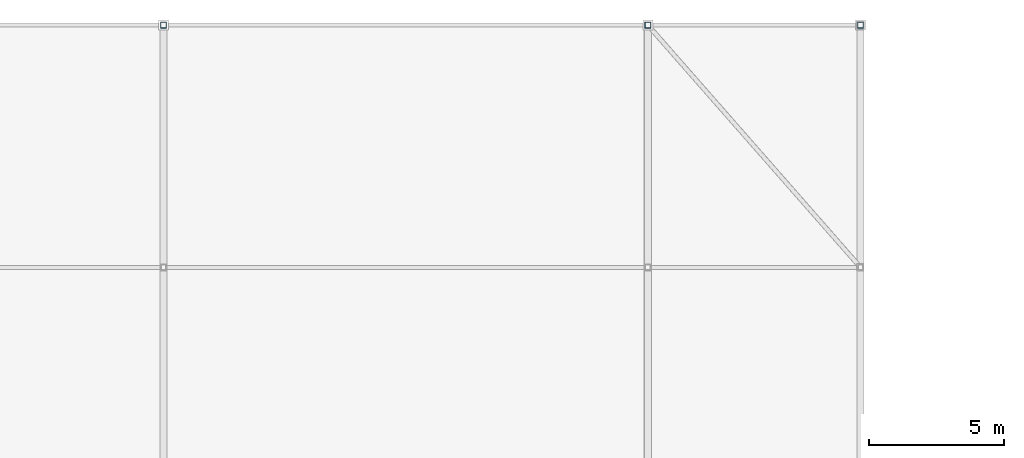
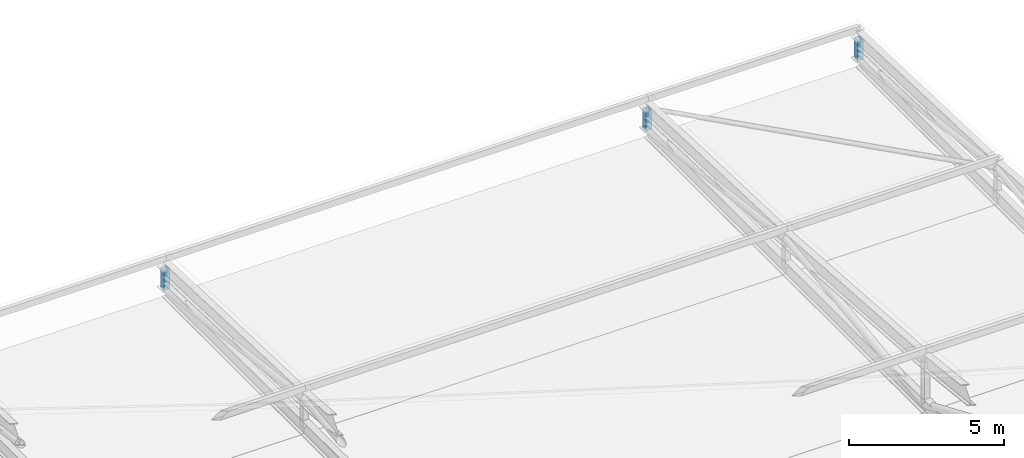
# One storey, part 85 of 114: 3 members.
"""IFC4 building model written with IfcOpenShell, lengths in metres."""

import ifcopenshell
import ifcopenshell.guid

model = None  # the IFC model being written
_history = None  # IfcOwnerHistory: only IFC2X3 demands one
_inside = {}  # id of a spatial element -> (the spatial element, [elements in it])
_under = {}  # id of a project, library or spatial element -> (it, [spatial elements below it])
_declared = {}  # id of a project -> (the project, [libraries it declares])
_typed = {}  # id of a type object -> (the type object, [elements of that type])
_made_of = {}  # id of a material, layer set ... -> (it, [elements and type objects made of it])


def new_model(schema):
    """Start an empty IFC model of exactly this schema.

    Asked for "IFC4X3", IfcOpenShell would pick the latest addendum, in which some entities
    have other attributes; the version numbers below select the first issue.
    IFC2X3 requires an IfcOwnerHistory on every rooted entity: one is made here for all.
    """
    global model, _history
    if schema == "IFC4X3":
        model = ifcopenshell.file(schema_version=(4, 3, 0, 0))
    else:
        model = ifcopenshell.file(schema=schema)
    _inside.clear()
    _under.clear()
    _declared.clear()
    _typed.clear()
    _made_of.clear()
    _history = None
    if model.schema == "IFC2X3":
        org = make("IfcOrganization", Name="unknown")
        user = make(
            "IfcPersonAndOrganization",
            ThePerson=make("IfcPerson", FamilyName="unknown"),
            TheOrganization=org,
        )
        app = make(
            "IfcApplication",
            ApplicationDeveloper=org,
            Version="unknown",
            ApplicationFullName="unknown",
            ApplicationIdentifier="unknown",
        )
        _history = make(
            "IfcOwnerHistory",
            OwningUser=user,
            OwningApplication=app,
            ChangeAction="ADDED",
            CreationDate=0,
        )
    return model


def make(cls, **values):
    """One entity of the class cls with the attributes given. An attribute that is None is left unset."""
    return model.create_entity(
        cls, **{name: value for name, value in values.items() if value is not None}
    )


def rooted(cls, **values):
    """An entity with a GlobalId (a new one), such as an element, a storey or a relation."""
    return make(cls, GlobalId=ifcopenshell.guid.new(), OwnerHistory=_history, **values)


def si_unit(unit_type, name, prefix=None):
    """IfcSIUnit, for example si_unit("LENGTHUNIT", "METRE", prefix="MILLI")."""
    return make("IfcSIUnit", UnitType=unit_type, Prefix=prefix, Name=name)


def assignment(units):
    """IfcUnitAssignment: the units of a project."""
    return None if units is None else make("IfcUnitAssignment", Units=units)


def point(xyz):
    """IfcCartesianPoint."""
    return None if xyz is None else make("IfcCartesianPoint", Coordinates=xyz)


def direction(xyz):
    """IfcDirection."""
    return None if xyz is None else make("IfcDirection", DirectionRatios=xyz)


def frame(location, z_axis=None, x_axis=None):
    """IfcAxis2Placement3D, a coordinate frame: its origin and axes. An axis left out is left unset."""
    return make(
        "IfcAxis2Placement3D",
        Location=point(location),
        Axis=direction(z_axis),
        RefDirection=direction(x_axis),
    )


def frame_2d(location, x_axis=None):
    """IfcAxis2Placement2D, a coordinate frame in the plane: its origin and x axis."""
    return make(
        "IfcAxis2Placement2D", Location=point(location), RefDirection=direction(x_axis)
    )


def origin():
    """The frame at (0, 0, 0) with its axes left unset."""
    return frame((0.0, 0.0, 0.0))


def origin_2d():
    """The frame at (0, 0) in the plane with its x axis left unset."""
    return frame_2d((0.0, 0.0))


def place(relative_to, where):
    """IfcLocalPlacement: puts the frame where relative to a parent placement (None: the world)."""
    return make(
        "IfcLocalPlacement", PlacementRelTo=relative_to, RelativePlacement=where
    )


def context(
    kind, dimensions, precision=None, world=None, true_north=None, identifier=None
):
    """IfcGeometricRepresentationContext, for example the 3D "Model" context."""
    return make(
        "IfcGeometricRepresentationContext",
        ContextIdentifier=identifier,
        ContextType=kind,
        CoordinateSpaceDimension=dimensions,
        Precision=precision,
        WorldCoordinateSystem=world,
        TrueNorth=true_north,
    )


def subcontext(parent, identifier, kind, view, scale=None):
    """IfcGeometricRepresentationSubContext, for example "Body" below "Model"."""
    return make(
        "IfcGeometricRepresentationSubContext",
        ContextIdentifier=identifier,
        ContextType=kind,
        ParentContext=parent,
        TargetScale=scale,
        TargetView=view,
    )


def project(units=None, contexts=None):
    """IfcProject with its units and contexts."""
    return rooted(
        "IfcProject",
        Name="project",
        RepresentationContexts=contexts,
        UnitsInContext=assignment(units),
    )


def spatial(cls, under=None, at=None, **own):
    """A site, building, storey or space (cls), placed at a placement, below another one or the project."""
    s = rooted(cls, ObjectPlacement=at, **own)
    if under is not None:
        _under.setdefault(under.id(), (under, []))[1].append(s)
    return s


def profile(cls, at=None, kind="AREA", **sizes):
    """A parametric profile (cls). Its sizes go by their IFC names, for example OverallWidth=200.0."""
    return make(cls, ProfileType=kind, Position=at, **sizes)


def hollow_rectangle(**sizes):
    """IfcRectangleHollowProfileDef."""
    return profile("IfcRectangleHollowProfileDef", **sizes)


def extrude(swept, where, along, depth):
    """IfcExtrudedAreaSolid: the profile swept, set in the frame where, extruded along a direction by depth."""
    return make(
        "IfcExtrudedAreaSolid",
        SweptArea=swept,
        Position=where,
        ExtrudedDirection=direction(along),
        Depth=depth,
    )


def shape(context_of_items, identifier, shape_type, items):
    """IfcShapeRepresentation: the items that make up one representation, for example the "Body"."""
    return make(
        "IfcShapeRepresentation",
        ContextOfItems=context_of_items,
        RepresentationIdentifier=identifier,
        RepresentationType=shape_type,
        Items=items,
    )


def material(Name=None, Category=None):
    """IfcMaterial."""
    return make("IfcMaterial", Name=Name, Category=Category)


def material_profile(
    of_material, cross_section, Name=None, Category=None, Priority=None
):
    """IfcMaterialProfile: a cross section and its material."""
    return make(
        "IfcMaterialProfile",
        Name=Name,
        Material=of_material,
        Profile=cross_section,
        Priority=Priority,
        Category=Category,
    )


def profile_set(profiles, Name=None, composite=None):
    """IfcMaterialProfileSet."""
    return make(
        "IfcMaterialProfileSet",
        Name=Name,
        MaterialProfiles=profiles,
        CompositeProfile=composite,
    )


def made_of(thing, what):
    """Note that an element or type object is made of a material, layer set ...; save() writes the relation."""
    if what is not None:
        _made_of.setdefault(what.id(), (what, []))[1].append(thing)
    return thing


def type_object(cls, material=None, **own):
    """A type object (cls), such as IfcWallType, which elements share."""
    return made_of(rooted(cls, **own), material)


def element(
    cls,
    number,
    at=None,
    inside=None,
    cuts=None,
    type_object=None,
    material=None,
    context=None,
    identifier="Body",
    shape_type=None,
    held_by="IfcProductDefinitionShape",
    body=None,
    shapes=None,
    **own,
):
    """One element of the class cls, such as IfcWall. Its Tag is "e" and its number.

    at: its placement. inside: the storey or other place that contains it. cuts: it is an
    opening in that element (IfcRelVoidsElement). A single representation is given by context,
    identifier, shape_type and body (its items); several are given by shapes. held_by: the class
    of the entity that holds the representations. save() writes the other relations.
    """
    e = rooted(cls, Tag="e%d" % number, ObjectPlacement=at, **own)
    if body is not None:
        shapes = [shape(context, identifier, shape_type, body)]
    if shapes is not None:
        e.Representation = make(held_by, Representations=shapes)
    if inside is not None:
        _inside.setdefault(inside.id(), (inside, []))[1].append(e)
    if cuts is not None:
        rooted(
            "IfcRelVoidsElement", RelatingBuildingElement=cuts, RelatedOpeningElement=e
        )
    if type_object is not None:
        _typed.setdefault(type_object.id(), (type_object, []))[1].append(e)
    return made_of(e, material)


def aggregate(whole, parts):
    """IfcRelAggregates: a whole, such as a stair, and the parts it consists of."""
    return rooted("IfcRelAggregates", RelatingObject=whole, RelatedObjects=parts)


def save(model, path):
    """Write the relations noted so far, then the file.

    IfcRelAggregates (storeys below a building ...), IfcRelContainedInSpatialStructure (elements
    in a storey), IfcRelDefinesByType, IfcRelAssociatesMaterial and IfcRelDeclares: one each for
    every whole, place, type object, material and project.
    """
    for whole, parts in _under.values():
        aggregate(whole, parts)
    for where, things in _inside.values():
        rooted(
            "IfcRelContainedInSpatialStructure",
            RelatedElements=things,
            RelatingStructure=where,
        )
    for kind, things in _typed.values():
        rooted("IfcRelDefinesByType", RelatedObjects=things, RelatingType=kind)
    for what, things in _made_of.values():
        rooted("IfcRelAssociatesMaterial", RelatedObjects=things, RelatingMaterial=what)
    for by, libraries in _declared.values():
        rooted("IfcRelDeclares", RelatingContext=by, RelatedDefinitions=libraries)
    model.write(path)


model = new_model("IFC4")

# Units and contexts
model_context = context("Model", 3, precision=1e-05, world=origin(), true_north=direction((0.0, 1.0)))
body_context = subcontext(model_context, "Body", "Model", "MODEL_VIEW")
ifc_project = project(units=[si_unit("LENGTHUNIT", "METRE"), si_unit("AREAUNIT", "SQUARE_METRE"), si_unit("VOLUMEUNIT", "CUBIC_METRE"), si_unit("PLANEANGLEUNIT", "RADIAN"), si_unit("MASSUNIT", "GRAM", prefix="KILO"), si_unit("THERMODYNAMICTEMPERATUREUNIT", "KELVIN"), si_unit("POWERUNIT", "WATT")], contexts=[model_context])

# Site, building, storey
site_placement = place(None, origin())
site = spatial("IfcSite", under=ifc_project, at=site_placement, CompositionType="ELEMENT")
building_placement = place(site_placement, origin())
building = spatial("IfcBuilding", under=site, at=building_placement, Name="Sindhuravela Promenade Stadium", CompositionType="ELEMENT")
storey_placement = place(building_placement, frame((0.0, 0.0, 24.0)))
storey = spatial("IfcBuildingStorey", under=building, at=storey_placement, Name="L05", CompositionType="ELEMENT", Elevation=24.0)

# Members
ifc_material = material(Name="Steel E350 (IS 2062 E350BR)", Category="steel")
ifc_material_profile = material_profile(ifc_material, hollow_rectangle(XDim=0.219970703125, YDim=0.219970703125, WallThickness=0.011962890625, at=origin_2d()), Name="SHS 220x220x12")
ifc_profile_set = profile_set([ifc_material_profile], Name="Steel E350 (IS 2062 E350BR)")
member_type = type_object("IfcMemberType", Name="ST-MB-SHS220", PredefinedType="POST", material=ifc_profile_set)
for number, where, z_axis, x_axis, name in (
    (1, (135.0, 153.0, 0.0), (0.0, 0.0, 1.0), (1.0, 0.0, 0.0), "Roof truss RT-N07 vertical post 1"),
    (2, (153.0, 153.0, 0.0), (0.0, 0.0, 1.0), (1.0, 0.0, 0.0), "Roof truss RT-N08 vertical post 1"),
    (3, (160.89990234375, 153.0, 0.0), (0.0, 0.0, 1.0), (1.0, 0.0, 0.0), "Roof truss RT-N09 vertical post 1"),
):
    element("IfcMember", number, at=place(storey_placement, frame(where, z_axis=z_axis, x_axis=x_axis)), inside=storey, type_object=member_type, Name=name, PredefinedType="POST", context=body_context, shape_type="SweptSolid", body=[
        extrude(hollow_rectangle(XDim=0.219970703125, YDim=0.219970703125, WallThickness=0.011962890625, at=origin_2d()), origin(), (0.0, 0.0, 1.0), 0.800048828125),
    ])

save(model, "model.ifc")
